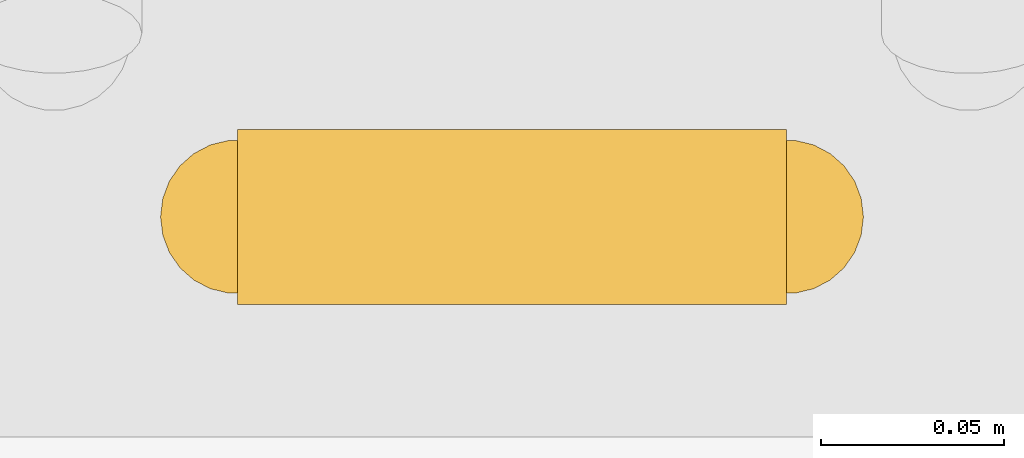
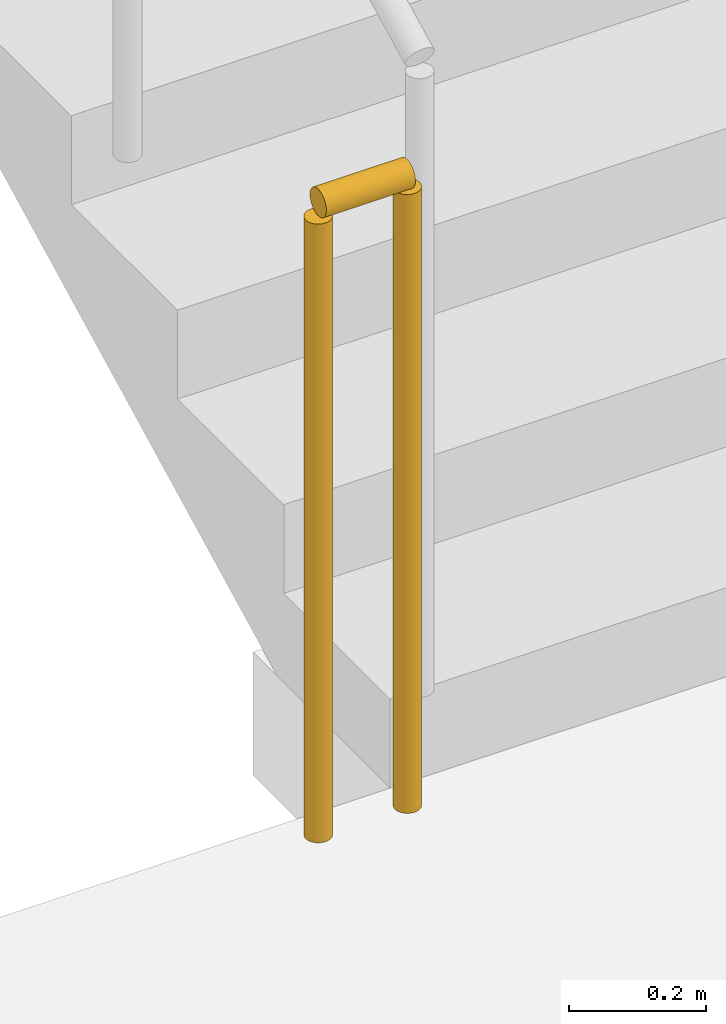
# One storey, part 15 of 18: 1 railing.
"""IFC4 building model written with IfcOpenShell, lengths in metres."""

from ifc_helpers import new_model, si_unit, direction, frame, origin, origin_2d, place, context, subcontext, project, spatial, circle, extrude, material, type_object, element, save


model = new_model("IFC4")

# Units and contexts
model_context = context("Model", 3, precision=1e-05, world=origin(), true_north=direction((0.0, 1.0)))
body_context = subcontext(model_context, "Body", "Model", "MODEL_VIEW")
ifc_project = project(units=[si_unit("LENGTHUNIT", "METRE"), si_unit("AREAUNIT", "SQUARE_METRE"), si_unit("VOLUMEUNIT", "CUBIC_METRE"), si_unit("PLANEANGLEUNIT", "RADIAN"), si_unit("MASSUNIT", "GRAM", prefix="KILO")], contexts=[model_context])

# Site, building, storey
site_placement = place(None, origin())
site = spatial("IfcSite", under=ifc_project, at=site_placement, CompositionType="ELEMENT")
building_placement = place(site_placement, origin())
building = spatial("IfcBuilding", under=site, at=building_placement, Name="Vaeldorn Concourse Tower", CompositionType="ELEMENT")
storey_placement = place(building_placement, frame((0.0, 0.0, 242.199951171875)))
storey = spatial("IfcBuildingStorey", under=building, at=storey_placement, Name="L62", CompositionType="ELEMENT", Elevation=242.199951171875)

# Railing
ifc_material = material(Name="Anodised Bronze Aluminium", Category="aluminium")
railing_type = type_object("IfcRailingType", Name="RL-STAIR-GUARD", PredefinedType="GUARDRAIL", material=ifc_material)
railing_placement = place(storey_placement, frame((51.35009765625, 41.550048828125, 0.0)))
element("IfcRailing", 1, at=railing_placement, inside=storey, type_object=railing_type, Name="L62 ST-2 stair guard 4", PredefinedType="GUARDRAIL", context=body_context, shape_type="SweptSolid", body=[
    extrude(circle(Radius=0.02392578125, at=origin_2d()), frame((0.0, 0.0, 1.1259765625), z_axis=(-1.0, 0.0, 0.0), x_axis=(0.0, -1.0, 0.0)), (0.0, 0.0, 1.0), 0.150146484375),
    extrude(circle(Radius=0.02099609375, at=origin_2d()), origin(), (0.0, 0.0, 1.0), 1.101806640625),
    extrude(circle(Radius=0.02099609375, at=origin_2d()), frame((-0.150146484375, 0.0, 0.0)), (0.0, 0.0, 1.0), 1.101806640625),
])

save(model, "model.ifc")
